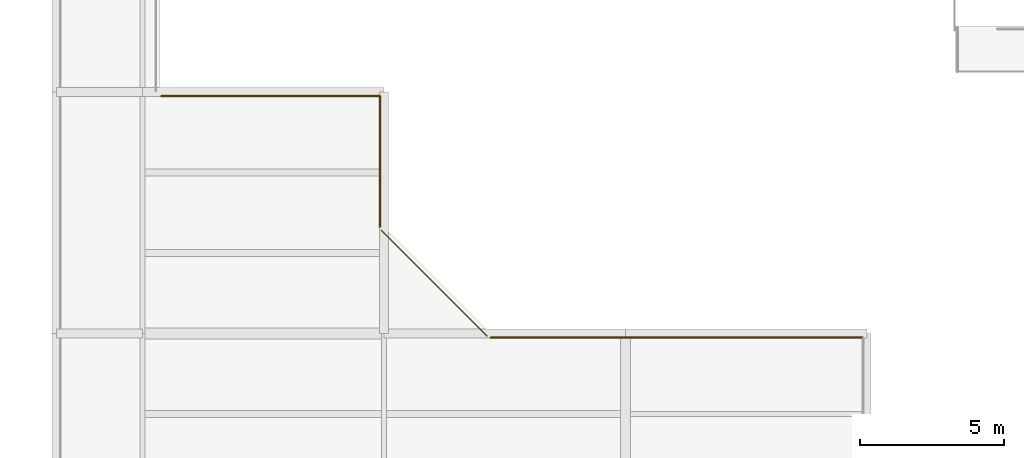
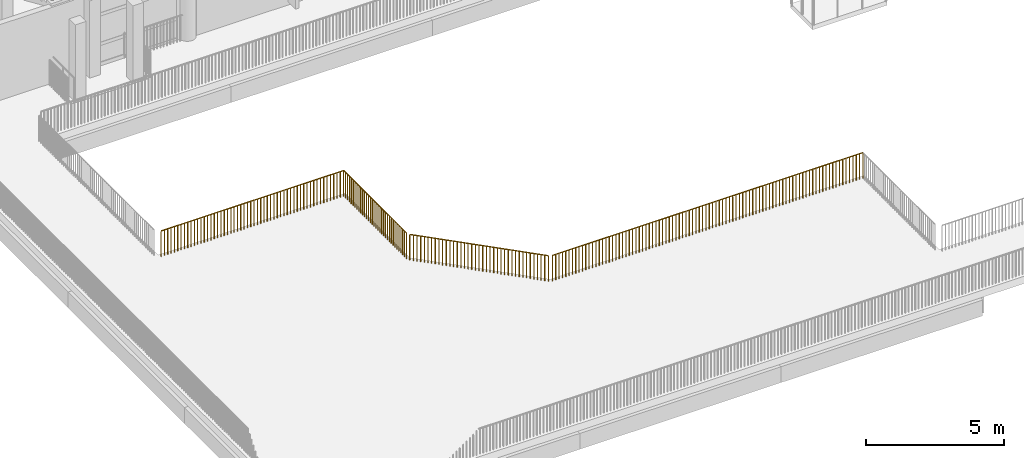
# One storey, part 38 of 51: 4 railings.
"""IFC4 building model written with IfcOpenShell, lengths in metres."""

from ifc_helpers import new_model, si_unit, direction, frame, origin, origin_2d, place, context, subcontext, project, spatial, circle, extrude, material, type_object, element, save


model = new_model("IFC4")

# Units and contexts
model_context = context("Model", 3, precision=1e-05, world=origin(), true_north=direction((0.0, 1.0)))
body_context = subcontext(model_context, "Body", "Model", "MODEL_VIEW")
ifc_project = project(units=[si_unit("LENGTHUNIT", "METRE"), si_unit("AREAUNIT", "SQUARE_METRE"), si_unit("VOLUMEUNIT", "CUBIC_METRE"), si_unit("PLANEANGLEUNIT", "RADIAN"), si_unit("MASSUNIT", "GRAM", prefix="KILO")], contexts=[model_context])

# Site, building, storey
site_placement = place(None, origin())
site = spatial("IfcSite", under=ifc_project, at=site_placement, CompositionType="ELEMENT")
building_placement = place(site_placement, origin())
building = spatial("IfcBuilding", under=site, at=building_placement, Name="Vanh Quang Courtyard School", CompositionType="ELEMENT")
storey_placement = place(building_placement, frame((0.0, 0.0, 11.39990234375)))
storey = spatial("IfcBuildingStorey", under=building, at=storey_placement, Name="L03", CompositionType="ELEMENT", Elevation=11.39990234375)

# Railings
ifc_material = material(Name="Galvanised painted steel EN 10025-2 S355J2", Category="steel")
railing_type = type_object("IfcRailingType", Name="RAIL-GUARD-1150", PredefinedType="BALUSTRADE", material=ifc_material)
railing_1_placement = place(storey_placement, frame((78.050048828125, 20.860107421875, 0.0)))
element("IfcRailing", 1, at=railing_1_placement, inside=storey, type_object=railing_type, Name="Railing GR-01 (L03)", PredefinedType="BALUSTRADE", context=body_context, shape_type="SweptSolid", body=[
    extrude(circle(Radius=0.02392578125, at=origin_2d()), frame((0.0, 0.0, 1.1259765625), z_axis=(1.0, 0.0, 0.0), x_axis=(0.0, 1.0, 0.0)), (0.0, 0.0, 1.0), 7.60986328125),
    extrude(circle(Radius=0.02099609375, at=origin_2d()), origin(), (0.0, 0.0, 1.0), 1.101806640625),
    extrude(circle(Radius=0.02099609375, at=origin_2d()), frame((0.138427734375, 0.0, 0.0)), (0.0, 0.0, 1.0), 1.101806640625),
    extrude(circle(Radius=0.02099609375, at=origin_2d()), frame((0.276611328125, 0.0, 0.0)), (0.0, 0.0, 1.0), 1.101806640625),
    extrude(circle(Radius=0.02099609375, at=origin_2d()), frame((0.4150390625, 0.0, 0.0)), (0.0, 0.0, 1.0), 1.101806640625),
    extrude(circle(Radius=0.02099609375, at=origin_2d()), frame((0.553466796875, 0.0, 0.0)), (0.0, 0.0, 1.0), 1.101806640625),
    extrude(circle(Radius=0.02099609375, at=origin_2d()), frame((0.69189453125, 0.0, 0.0)), (0.0, 0.0, 1.0), 1.101806640625),
    extrude(circle(Radius=0.02099609375, at=origin_2d()), frame((0.830078125, 0.0, 0.0)), (0.0, 0.0, 1.0), 1.101806640625),
    extrude(circle(Radius=0.02099609375, at=origin_2d()), frame((0.968505859375, 0.0, 0.0)), (0.0, 0.0, 1.0), 1.101806640625),
    extrude(circle(Radius=0.02099609375, at=origin_2d()), frame((1.10693359375, 0.0, 0.0)), (0.0, 0.0, 1.0), 1.101806640625),
    extrude(circle(Radius=0.02099609375, at=origin_2d()), frame((1.245361328125, 0.0, 0.0)), (0.0, 0.0, 1.0), 1.101806640625),
    extrude(circle(Radius=0.02099609375, at=origin_2d()), frame((1.383544921875, 0.0, 0.0)), (0.0, 0.0, 1.0), 1.101806640625),
    extrude(circle(Radius=0.02099609375, at=origin_2d()), frame((1.52197265625, 0.0, 0.0)), (0.0, 0.0, 1.0), 1.101806640625),
    extrude(circle(Radius=0.02099609375, at=origin_2d()), frame((1.660400390625, 0.0, 0.0)), (0.0, 0.0, 1.0), 1.101806640625),
    extrude(circle(Radius=0.02099609375, at=origin_2d()), frame((1.798583984375, 0.0, 0.0)), (0.0, 0.0, 1.0), 1.101806640625),
    extrude(circle(Radius=0.02099609375, at=origin_2d()), frame((1.93701171875, 0.0, 0.0)), (0.0, 0.0, 1.0), 1.101806640625),
    extrude(circle(Radius=0.02099609375, at=origin_2d()), frame((2.075439453125, 0.0, 0.0)), (0.0, 0.0, 1.0), 1.101806640625),
    extrude(circle(Radius=0.02099609375, at=origin_2d()), frame((2.2138671875, 0.0, 0.0)), (0.0, 0.0, 1.0), 1.101806640625),
    extrude(circle(Radius=0.02099609375, at=origin_2d()), frame((2.35205078125, 0.0, 0.0)), (0.0, 0.0, 1.0), 1.101806640625),
    extrude(circle(Radius=0.02099609375, at=origin_2d()), frame((2.490478515625, 0.0, 0.0)), (0.0, 0.0, 1.0), 1.101806640625),
    extrude(circle(Radius=0.02099609375, at=origin_2d()), frame((2.62890625, 0.0, 0.0)), (0.0, 0.0, 1.0), 1.101806640625),
    extrude(circle(Radius=0.02099609375, at=origin_2d()), frame((2.767333984375, 0.0, 0.0)), (0.0, 0.0, 1.0), 1.101806640625),
    extrude(circle(Radius=0.02099609375, at=origin_2d()), frame((2.905517578125, 0.0, 0.0)), (0.0, 0.0, 1.0), 1.101806640625),
    extrude(circle(Radius=0.02099609375, at=origin_2d()), frame((3.0439453125, 0.0, 0.0)), (0.0, 0.0, 1.0), 1.101806640625),
    extrude(circle(Radius=0.02099609375, at=origin_2d()), frame((3.182373046875, 0.0, 0.0)), (0.0, 0.0, 1.0), 1.101806640625),
    extrude(circle(Radius=0.02099609375, at=origin_2d()), frame((3.320556640625, 0.0, 0.0)), (0.0, 0.0, 1.0), 1.101806640625),
    extrude(circle(Radius=0.02099609375, at=origin_2d()), frame((3.458984375, 0.0, 0.0)), (0.0, 0.0, 1.0), 1.101806640625),
    extrude(circle(Radius=0.02099609375, at=origin_2d()), frame((3.597412109375, 0.0, 0.0)), (0.0, 0.0, 1.0), 1.101806640625),
    extrude(circle(Radius=0.02099609375, at=origin_2d()), frame((3.73583984375, 0.0, 0.0)), (0.0, 0.0, 1.0), 1.101806640625),
    extrude(circle(Radius=0.02099609375, at=origin_2d()), frame((3.8740234375, 0.0, 0.0)), (0.0, 0.0, 1.0), 1.101806640625),
    extrude(circle(Radius=0.02099609375, at=origin_2d()), frame((4.012451171875, 0.0, 0.0)), (0.0, 0.0, 1.0), 1.101806640625),
    extrude(circle(Radius=0.02099609375, at=origin_2d()), frame((4.15087890625, 0.0, 0.0)), (0.0, 0.0, 1.0), 1.101806640625),
    extrude(circle(Radius=0.02099609375, at=origin_2d()), frame((4.289306640625, 0.0, 0.0)), (0.0, 0.0, 1.0), 1.101806640625),
    extrude(circle(Radius=0.02099609375, at=origin_2d()), frame((4.427490234375, 0.0, 0.0)), (0.0, 0.0, 1.0), 1.101806640625),
    extrude(circle(Radius=0.02099609375, at=origin_2d()), frame((4.56591796875, 0.0, 0.0)), (0.0, 0.0, 1.0), 1.101806640625),
    extrude(circle(Radius=0.02099609375, at=origin_2d()), frame((4.704345703125, 0.0, 0.0)), (0.0, 0.0, 1.0), 1.101806640625),
    extrude(circle(Radius=0.02099609375, at=origin_2d()), frame((4.842529296875, 0.0, 0.0)), (0.0, 0.0, 1.0), 1.101806640625),
    extrude(circle(Radius=0.02099609375, at=origin_2d()), frame((4.98095703125, 0.0, 0.0)), (0.0, 0.0, 1.0), 1.101806640625),
    extrude(circle(Radius=0.02099609375, at=origin_2d()), frame((5.119384765625, 0.0, 0.0)), (0.0, 0.0, 1.0), 1.101806640625),
    extrude(circle(Radius=0.02099609375, at=origin_2d()), frame((5.2578125, 0.0, 0.0)), (0.0, 0.0, 1.0), 1.101806640625),
    extrude(circle(Radius=0.02099609375, at=origin_2d()), frame((5.39599609375, 0.0, 0.0)), (0.0, 0.0, 1.0), 1.101806640625),
    extrude(circle(Radius=0.02099609375, at=origin_2d()), frame((5.534423828125, 0.0, 0.0)), (0.0, 0.0, 1.0), 1.101806640625),
    extrude(circle(Radius=0.02099609375, at=origin_2d()), frame((5.6728515625, 0.0, 0.0)), (0.0, 0.0, 1.0), 1.101806640625),
    extrude(circle(Radius=0.02099609375, at=origin_2d()), frame((5.811279296875, 0.0, 0.0)), (0.0, 0.0, 1.0), 1.101806640625),
    extrude(circle(Radius=0.02099609375, at=origin_2d()), frame((5.949462890625, 0.0, 0.0)), (0.0, 0.0, 1.0), 1.101806640625),
    extrude(circle(Radius=0.02099609375, at=origin_2d()), frame((6.087890625, 0.0, 0.0)), (0.0, 0.0, 1.0), 1.101806640625),
    extrude(circle(Radius=0.02099609375, at=origin_2d()), frame((6.226318359375, 0.0, 0.0)), (0.0, 0.0, 1.0), 1.101806640625),
    extrude(circle(Radius=0.02099609375, at=origin_2d()), frame((6.364501953125, 0.0, 0.0)), (0.0, 0.0, 1.0), 1.101806640625),
    extrude(circle(Radius=0.02099609375, at=origin_2d()), frame((6.5029296875, 0.0, 0.0)), (0.0, 0.0, 1.0), 1.101806640625),
    extrude(circle(Radius=0.02099609375, at=origin_2d()), frame((6.641357421875, 0.0, 0.0)), (0.0, 0.0, 1.0), 1.101806640625),
    extrude(circle(Radius=0.02099609375, at=origin_2d()), frame((6.77978515625, 0.0, 0.0)), (0.0, 0.0, 1.0), 1.101806640625),
    extrude(circle(Radius=0.02099609375, at=origin_2d()), frame((6.91796875, 0.0, 0.0)), (0.0, 0.0, 1.0), 1.101806640625),
    extrude(circle(Radius=0.02099609375, at=origin_2d()), frame((7.056396484375, 0.0, 0.0)), (0.0, 0.0, 1.0), 1.101806640625),
    extrude(circle(Radius=0.02099609375, at=origin_2d()), frame((7.19482421875, 0.0, 0.0)), (0.0, 0.0, 1.0), 1.101806640625),
    extrude(circle(Radius=0.02099609375, at=origin_2d()), frame((7.333251953125, 0.0, 0.0)), (0.0, 0.0, 1.0), 1.101806640625),
    extrude(circle(Radius=0.02099609375, at=origin_2d()), frame((7.471435546875, 0.0, 0.0)), (0.0, 0.0, 1.0), 1.101806640625),
    extrude(circle(Radius=0.02099609375, at=origin_2d()), frame((7.60986328125, 0.0, 0.0)), (0.0, 0.0, 1.0), 1.101806640625),
])
railing_2_placement = place(storey_placement, frame((85.659912109375, 20.860107421875, 0.0)))
element("IfcRailing", 2, at=railing_2_placement, inside=storey, type_object=railing_type, Name="Railing GR-01 (L03)", PredefinedType="BALUSTRADE", context=body_context, shape_type="SweptSolid", body=[
    extrude(circle(Radius=0.02392578125, at=origin_2d()), frame((0.0, 0.0, 1.1259765625), z_axis=(0.0, -1.0, 0.0), x_axis=(1.0, 0.0, 0.0)), (0.0, 0.0, 1.0), 4.54345703125),
    extrude(circle(Radius=0.02099609375, at=origin_2d()), origin(), (0.0, 0.0, 1.0), 1.101806640625),
    extrude(circle(Radius=0.02099609375, at=origin_2d()), frame((0.0, -0.1376953125, 0.0)), (0.0, 0.0, 1.0), 1.101806640625),
    extrude(circle(Radius=0.02099609375, at=origin_2d()), frame((0.0, -0.275390625, 0.0)), (0.0, 0.0, 1.0), 1.101806640625),
    extrude(circle(Radius=0.02099609375, at=origin_2d()), frame((0.0, -0.4130859375, 0.0)), (0.0, 0.0, 1.0), 1.101806640625),
    extrude(circle(Radius=0.02099609375, at=origin_2d()), frame((0.0, -0.55078125, 0.0)), (0.0, 0.0, 1.0), 1.101806640625),
    extrude(circle(Radius=0.02099609375, at=origin_2d()), frame((0.0, -0.6884765625, 0.0)), (0.0, 0.0, 1.0), 1.101806640625),
    extrude(circle(Radius=0.02099609375, at=origin_2d()), frame((0.0, -0.826171875, 0.0)), (0.0, 0.0, 1.0), 1.101806640625),
    extrude(circle(Radius=0.02099609375, at=origin_2d()), frame((0.0, -0.9638671875, 0.0)), (0.0, 0.0, 1.0), 1.101806640625),
    extrude(circle(Radius=0.02099609375, at=origin_2d()), frame((0.0, -1.1015625, 0.0)), (0.0, 0.0, 1.0), 1.101806640625),
    extrude(circle(Radius=0.02099609375, at=origin_2d()), frame((0.0, -1.239013671875, 0.0)), (0.0, 0.0, 1.0), 1.101806640625),
    extrude(circle(Radius=0.02099609375, at=origin_2d()), frame((0.0, -1.376708984375, 0.0)), (0.0, 0.0, 1.0), 1.101806640625),
    extrude(circle(Radius=0.02099609375, at=origin_2d()), frame((0.0, -1.514404296875, 0.0)), (0.0, 0.0, 1.0), 1.101806640625),
    extrude(circle(Radius=0.02099609375, at=origin_2d()), frame((0.0, -1.652099609375, 0.0)), (0.0, 0.0, 1.0), 1.101806640625),
    extrude(circle(Radius=0.02099609375, at=origin_2d()), frame((0.0, -1.789794921875, 0.0)), (0.0, 0.0, 1.0), 1.101806640625),
    extrude(circle(Radius=0.02099609375, at=origin_2d()), frame((0.0, -1.927490234375, 0.0)), (0.0, 0.0, 1.0), 1.101806640625),
    extrude(circle(Radius=0.02099609375, at=origin_2d()), frame((0.0, -2.065185546875, 0.0)), (0.0, 0.0, 1.0), 1.101806640625),
    extrude(circle(Radius=0.02099609375, at=origin_2d()), frame((0.0, -2.202880859375, 0.0)), (0.0, 0.0, 1.0), 1.101806640625),
    extrude(circle(Radius=0.02099609375, at=origin_2d()), frame((0.0, -2.340576171875, 0.0)), (0.0, 0.0, 1.0), 1.101806640625),
    extrude(circle(Radius=0.02099609375, at=origin_2d()), frame((0.0, -2.478271484375, 0.0)), (0.0, 0.0, 1.0), 1.101806640625),
    extrude(circle(Radius=0.02099609375, at=origin_2d()), frame((0.0, -2.615966796875, 0.0)), (0.0, 0.0, 1.0), 1.101806640625),
    extrude(circle(Radius=0.02099609375, at=origin_2d()), frame((0.0, -2.753662109375, 0.0)), (0.0, 0.0, 1.0), 1.101806640625),
    extrude(circle(Radius=0.02099609375, at=origin_2d()), frame((0.0, -2.891357421875, 0.0)), (0.0, 0.0, 1.0), 1.101806640625),
    extrude(circle(Radius=0.02099609375, at=origin_2d()), frame((0.0, -3.029052734375, 0.0)), (0.0, 0.0, 1.0), 1.101806640625),
    extrude(circle(Radius=0.02099609375, at=origin_2d()), frame((0.0, -3.166748046875, 0.0)), (0.0, 0.0, 1.0), 1.101806640625),
    extrude(circle(Radius=0.02099609375, at=origin_2d()), frame((0.0, -3.304443359375, 0.0)), (0.0, 0.0, 1.0), 1.101806640625),
    extrude(circle(Radius=0.02099609375, at=origin_2d()), frame((0.0, -3.44189453125, 0.0)), (0.0, 0.0, 1.0), 1.101806640625),
    extrude(circle(Radius=0.02099609375, at=origin_2d()), frame((0.0, -3.57958984375, 0.0)), (0.0, 0.0, 1.0), 1.101806640625),
    extrude(circle(Radius=0.02099609375, at=origin_2d()), frame((0.0, -3.71728515625, 0.0)), (0.0, 0.0, 1.0), 1.101806640625),
    extrude(circle(Radius=0.02099609375, at=origin_2d()), frame((0.0, -3.85498046875, 0.0)), (0.0, 0.0, 1.0), 1.101806640625),
    extrude(circle(Radius=0.02099609375, at=origin_2d()), frame((0.0, -3.99267578125, 0.0)), (0.0, 0.0, 1.0), 1.101806640625),
    extrude(circle(Radius=0.02099609375, at=origin_2d()), frame((0.0, -4.13037109375, 0.0)), (0.0, 0.0, 1.0), 1.101806640625),
    extrude(circle(Radius=0.02099609375, at=origin_2d()), frame((0.0, -4.26806640625, 0.0)), (0.0, 0.0, 1.0), 1.101806640625),
    extrude(circle(Radius=0.02099609375, at=origin_2d()), frame((0.0, -4.40576171875, 0.0)), (0.0, 0.0, 1.0), 1.101806640625),
    extrude(circle(Radius=0.02099609375, at=origin_2d()), frame((0.0, -4.54345703125, 0.0)), (0.0, 0.0, 1.0), 1.101806640625),
])
railing_3_placement = place(storey_placement, frame((85.715576171875, 16.182373046875, 0.0)))
element("IfcRailing", 3, at=railing_3_placement, inside=storey, type_object=railing_type, Name="Railing GR-01 (L03)", PredefinedType="BALUSTRADE", context=body_context, shape_type="SweptSolid", body=[
    extrude(circle(Radius=0.02392578125, at=origin_2d()), frame((0.0, 0.0, 1.1259765625), z_axis=(0.707106781187, -0.707106781187, 0.0), x_axis=(0.707106781187, 0.707106781187, 0.0)), (0.0, 0.0, 1.0), 5.185546875),
    extrude(circle(Radius=0.02099609375, at=origin_2d()), origin(), (0.0, 0.0, 1.0), 1.101806640625),
    extrude(circle(Radius=0.02099609375, at=origin_2d()), frame((0.096435546875, -0.096435546875, 0.0)), (0.0, 0.0, 1.0), 1.101806640625),
    extrude(circle(Radius=0.02099609375, at=origin_2d()), frame((0.19287109375, -0.19287109375, 0.0)), (0.0, 0.0, 1.0), 1.101806640625),
    extrude(circle(Radius=0.02099609375, at=origin_2d()), frame((0.28955078125, -0.28955078125, 0.0)), (0.0, 0.0, 1.0), 1.101806640625),
    extrude(circle(Radius=0.02099609375, at=origin_2d()), frame((0.385986328125, -0.385986328125, 0.0)), (0.0, 0.0, 1.0), 1.101806640625),
    extrude(circle(Radius=0.02099609375, at=origin_2d()), frame((0.482421875, -0.482421875, 0.0)), (0.0, 0.0, 1.0), 1.101806640625),
    extrude(circle(Radius=0.02099609375, at=origin_2d()), frame((0.578857421875, -0.578857421875, 0.0)), (0.0, 0.0, 1.0), 1.101806640625),
    extrude(circle(Radius=0.02099609375, at=origin_2d()), frame((0.675537109375, -0.675537109375, 0.0)), (0.0, 0.0, 1.0), 1.101806640625),
    extrude(circle(Radius=0.02099609375, at=origin_2d()), frame((0.77197265625, -0.77197265625, 0.0)), (0.0, 0.0, 1.0), 1.101806640625),
    extrude(circle(Radius=0.02099609375, at=origin_2d()), frame((0.868408203125, -0.868408203125, 0.0)), (0.0, 0.0, 1.0), 1.101806640625),
    extrude(circle(Radius=0.02099609375, at=origin_2d()), frame((0.96484375, -0.96484375, 0.0)), (0.0, 0.0, 1.0), 1.101806640625),
    extrude(circle(Radius=0.02099609375, at=origin_2d()), frame((1.0615234375, -1.0615234375, 0.0)), (0.0, 0.0, 1.0), 1.101806640625),
    extrude(circle(Radius=0.02099609375, at=origin_2d()), frame((1.157958984375, -1.157958984375, 0.0)), (0.0, 0.0, 1.0), 1.101806640625),
    extrude(circle(Radius=0.02099609375, at=origin_2d()), frame((1.25439453125, -1.25439453125, 0.0)), (0.0, 0.0, 1.0), 1.101806640625),
    extrude(circle(Radius=0.02099609375, at=origin_2d()), frame((1.350830078125, -1.350830078125, 0.0)), (0.0, 0.0, 1.0), 1.101806640625),
    extrude(circle(Radius=0.02099609375, at=origin_2d()), frame((1.447509765625, -1.447509765625, 0.0)), (0.0, 0.0, 1.0), 1.101806640625),
    extrude(circle(Radius=0.02099609375, at=origin_2d()), frame((1.5439453125, -1.5439453125, 0.0)), (0.0, 0.0, 1.0), 1.101806640625),
    extrude(circle(Radius=0.02099609375, at=origin_2d()), frame((1.640380859375, -1.640380859375, 0.0)), (0.0, 0.0, 1.0), 1.101806640625),
    extrude(circle(Radius=0.02099609375, at=origin_2d()), frame((1.73681640625, -1.73681640625, 0.0)), (0.0, 0.0, 1.0), 1.101806640625),
    extrude(circle(Radius=0.02099609375, at=origin_2d()), frame((1.83349609375, -1.83349609375, 0.0)), (0.0, 0.0, 1.0), 1.101806640625),
    extrude(circle(Radius=0.02099609375, at=origin_2d()), frame((1.929931640625, -1.929931640625, 0.0)), (0.0, 0.0, 1.0), 1.101806640625),
    extrude(circle(Radius=0.02099609375, at=origin_2d()), frame((2.0263671875, -2.0263671875, 0.0)), (0.0, 0.0, 1.0), 1.101806640625),
    extrude(circle(Radius=0.02099609375, at=origin_2d()), frame((2.122802734375, -2.122802734375, 0.0)), (0.0, 0.0, 1.0), 1.101806640625),
    extrude(circle(Radius=0.02099609375, at=origin_2d()), frame((2.21923828125, -2.21923828125, 0.0)), (0.0, 0.0, 1.0), 1.101806640625),
    extrude(circle(Radius=0.02099609375, at=origin_2d()), frame((2.31591796875, -2.31591796875, 0.0)), (0.0, 0.0, 1.0), 1.101806640625),
    extrude(circle(Radius=0.02099609375, at=origin_2d()), frame((2.412353515625, -2.412353515625, 0.0)), (0.0, 0.0, 1.0), 1.101806640625),
    extrude(circle(Radius=0.02099609375, at=origin_2d()), frame((2.5087890625, -2.5087890625, 0.0)), (0.0, 0.0, 1.0), 1.101806640625),
    extrude(circle(Radius=0.02099609375, at=origin_2d()), frame((2.605224609375, -2.605224609375, 0.0)), (0.0, 0.0, 1.0), 1.101806640625),
    extrude(circle(Radius=0.02099609375, at=origin_2d()), frame((2.701904296875, -2.701904296875, 0.0)), (0.0, 0.0, 1.0), 1.101806640625),
    extrude(circle(Radius=0.02099609375, at=origin_2d()), frame((2.79833984375, -2.79833984375, 0.0)), (0.0, 0.0, 1.0), 1.101806640625),
    extrude(circle(Radius=0.02099609375, at=origin_2d()), frame((2.894775390625, -2.894775390625, 0.0)), (0.0, 0.0, 1.0), 1.101806640625),
    extrude(circle(Radius=0.02099609375, at=origin_2d()), frame((2.9912109375, -2.9912109375, 0.0)), (0.0, 0.0, 1.0), 1.101806640625),
    extrude(circle(Radius=0.02099609375, at=origin_2d()), frame((3.087890625, -3.087890625, 0.0)), (0.0, 0.0, 1.0), 1.101806640625),
    extrude(circle(Radius=0.02099609375, at=origin_2d()), frame((3.184326171875, -3.184326171875, 0.0)), (0.0, 0.0, 1.0), 1.101806640625),
    extrude(circle(Radius=0.02099609375, at=origin_2d()), frame((3.28076171875, -3.28076171875, 0.0)), (0.0, 0.0, 1.0), 1.101806640625),
    extrude(circle(Radius=0.02099609375, at=origin_2d()), frame((3.377197265625, -3.377197265625, 0.0)), (0.0, 0.0, 1.0), 1.101806640625),
    extrude(circle(Radius=0.02099609375, at=origin_2d()), frame((3.473876953125, -3.473876953125, 0.0)), (0.0, 0.0, 1.0), 1.101806640625),
    extrude(circle(Radius=0.02099609375, at=origin_2d()), frame((3.5703125, -3.5703125, 0.0)), (0.0, 0.0, 1.0), 1.101806640625),
    extrude(circle(Radius=0.02099609375, at=origin_2d()), frame((3.666748046875, -3.666748046875, 0.0)), (0.0, 0.0, 1.0), 1.101806640625),
])
railing_4_placement = place(storey_placement, frame((89.5166015625, 12.4599609375, 0.0)))
element("IfcRailing", 4, at=railing_4_placement, inside=storey, type_object=railing_type, Name="Railing GR-01 (L03)", PredefinedType="BALUSTRADE", context=body_context, shape_type="SweptSolid", body=[
    extrude(circle(Radius=0.02392578125, at=origin_2d()), frame((0.0, 0.0, 1.1259765625), z_axis=(1.0, 0.0, 0.0), x_axis=(0.0, 1.0, 0.0)), (0.0, 0.0, 1.0), 12.943359375),
    extrude(circle(Radius=0.02099609375, at=origin_2d()), origin(), (0.0, 0.0, 1.0), 1.101806640625),
    extrude(circle(Radius=0.02099609375, at=origin_2d()), frame((0.13916015625, 0.0, 0.0)), (0.0, 0.0, 1.0), 1.101806640625),
    extrude(circle(Radius=0.02099609375, at=origin_2d()), frame((0.2783203125, 0.0, 0.0)), (0.0, 0.0, 1.0), 1.101806640625),
    extrude(circle(Radius=0.02099609375, at=origin_2d()), frame((0.41748046875, 0.0, 0.0)), (0.0, 0.0, 1.0), 1.101806640625),
    extrude(circle(Radius=0.02099609375, at=origin_2d()), frame((0.556640625, 0.0, 0.0)), (0.0, 0.0, 1.0), 1.101806640625),
    extrude(circle(Radius=0.02099609375, at=origin_2d()), frame((0.69580078125, 0.0, 0.0)), (0.0, 0.0, 1.0), 1.101806640625),
    extrude(circle(Radius=0.02099609375, at=origin_2d()), frame((0.8349609375, 0.0, 0.0)), (0.0, 0.0, 1.0), 1.101806640625),
    extrude(circle(Radius=0.02099609375, at=origin_2d()), frame((0.97412109375, 0.0, 0.0)), (0.0, 0.0, 1.0), 1.101806640625),
    extrude(circle(Radius=0.02099609375, at=origin_2d()), frame((1.113525390625, 0.0, 0.0)), (0.0, 0.0, 1.0), 1.101806640625),
    extrude(circle(Radius=0.02099609375, at=origin_2d()), frame((1.252685546875, 0.0, 0.0)), (0.0, 0.0, 1.0), 1.101806640625),
    extrude(circle(Radius=0.02099609375, at=origin_2d()), frame((1.391845703125, 0.0, 0.0)), (0.0, 0.0, 1.0), 1.101806640625),
    extrude(circle(Radius=0.02099609375, at=origin_2d()), frame((1.531005859375, 0.0, 0.0)), (0.0, 0.0, 1.0), 1.101806640625),
    extrude(circle(Radius=0.02099609375, at=origin_2d()), frame((1.670166015625, 0.0, 0.0)), (0.0, 0.0, 1.0), 1.101806640625),
    extrude(circle(Radius=0.02099609375, at=origin_2d()), frame((1.809326171875, 0.0, 0.0)), (0.0, 0.0, 1.0), 1.101806640625),
    extrude(circle(Radius=0.02099609375, at=origin_2d()), frame((1.948486328125, 0.0, 0.0)), (0.0, 0.0, 1.0), 1.101806640625),
    extrude(circle(Radius=0.02099609375, at=origin_2d()), frame((2.087646484375, 0.0, 0.0)), (0.0, 0.0, 1.0), 1.101806640625),
    extrude(circle(Radius=0.02099609375, at=origin_2d()), frame((2.226806640625, 0.0, 0.0)), (0.0, 0.0, 1.0), 1.101806640625),
    extrude(circle(Radius=0.02099609375, at=origin_2d()), frame((2.365966796875, 0.0, 0.0)), (0.0, 0.0, 1.0), 1.101806640625),
    extrude(circle(Radius=0.02099609375, at=origin_2d()), frame((2.505126953125, 0.0, 0.0)), (0.0, 0.0, 1.0), 1.101806640625),
    extrude(circle(Radius=0.02099609375, at=origin_2d()), frame((2.644287109375, 0.0, 0.0)), (0.0, 0.0, 1.0), 1.101806640625),
    extrude(circle(Radius=0.02099609375, at=origin_2d()), frame((2.783447265625, 0.0, 0.0)), (0.0, 0.0, 1.0), 1.101806640625),
    extrude(circle(Radius=0.02099609375, at=origin_2d()), frame((2.922607421875, 0.0, 0.0)), (0.0, 0.0, 1.0), 1.101806640625),
    extrude(circle(Radius=0.02099609375, at=origin_2d()), frame((3.061767578125, 0.0, 0.0)), (0.0, 0.0, 1.0), 1.101806640625),
    extrude(circle(Radius=0.02099609375, at=origin_2d()), frame((3.200927734375, 0.0, 0.0)), (0.0, 0.0, 1.0), 1.101806640625),
    extrude(circle(Radius=0.02099609375, at=origin_2d()), frame((3.34033203125, 0.0, 0.0)), (0.0, 0.0, 1.0), 1.101806640625),
    extrude(circle(Radius=0.02099609375, at=origin_2d()), frame((3.4794921875, 0.0, 0.0)), (0.0, 0.0, 1.0), 1.101806640625),
    extrude(circle(Radius=0.02099609375, at=origin_2d()), frame((3.61865234375, 0.0, 0.0)), (0.0, 0.0, 1.0), 1.101806640625),
    extrude(circle(Radius=0.02099609375, at=origin_2d()), frame((3.7578125, 0.0, 0.0)), (0.0, 0.0, 1.0), 1.101806640625),
    extrude(circle(Radius=0.02099609375, at=origin_2d()), frame((3.89697265625, 0.0, 0.0)), (0.0, 0.0, 1.0), 1.101806640625),
    extrude(circle(Radius=0.02099609375, at=origin_2d()), frame((4.0361328125, 0.0, 0.0)), (0.0, 0.0, 1.0), 1.101806640625),
    extrude(circle(Radius=0.02099609375, at=origin_2d()), frame((4.17529296875, 0.0, 0.0)), (0.0, 0.0, 1.0), 1.101806640625),
    extrude(circle(Radius=0.02099609375, at=origin_2d()), frame((4.314453125, 0.0, 0.0)), (0.0, 0.0, 1.0), 1.101806640625),
    extrude(circle(Radius=0.02099609375, at=origin_2d()), frame((4.45361328125, 0.0, 0.0)), (0.0, 0.0, 1.0), 1.101806640625),
    extrude(circle(Radius=0.02099609375, at=origin_2d()), frame((4.5927734375, 0.0, 0.0)), (0.0, 0.0, 1.0), 1.101806640625),
    extrude(circle(Radius=0.02099609375, at=origin_2d()), frame((4.73193359375, 0.0, 0.0)), (0.0, 0.0, 1.0), 1.101806640625),
    extrude(circle(Radius=0.02099609375, at=origin_2d()), frame((4.87109375, 0.0, 0.0)), (0.0, 0.0, 1.0), 1.101806640625),
    extrude(circle(Radius=0.02099609375, at=origin_2d()), frame((5.01025390625, 0.0, 0.0)), (0.0, 0.0, 1.0), 1.101806640625),
    extrude(circle(Radius=0.02099609375, at=origin_2d()), frame((5.1494140625, 0.0, 0.0)), (0.0, 0.0, 1.0), 1.101806640625),
    extrude(circle(Radius=0.02099609375, at=origin_2d()), frame((5.28857421875, 0.0, 0.0)), (0.0, 0.0, 1.0), 1.101806640625),
    extrude(circle(Radius=0.02099609375, at=origin_2d()), frame((5.427978515625, 0.0, 0.0)), (0.0, 0.0, 1.0), 1.101806640625),
    extrude(circle(Radius=0.02099609375, at=origin_2d()), frame((5.567138671875, 0.0, 0.0)), (0.0, 0.0, 1.0), 1.101806640625),
    extrude(circle(Radius=0.02099609375, at=origin_2d()), frame((5.706298828125, 0.0, 0.0)), (0.0, 0.0, 1.0), 1.101806640625),
    extrude(circle(Radius=0.02099609375, at=origin_2d()), frame((5.845458984375, 0.0, 0.0)), (0.0, 0.0, 1.0), 1.101806640625),
    extrude(circle(Radius=0.02099609375, at=origin_2d()), frame((5.984619140625, 0.0, 0.0)), (0.0, 0.0, 1.0), 1.101806640625),
    extrude(circle(Radius=0.02099609375, at=origin_2d()), frame((6.123779296875, 0.0, 0.0)), (0.0, 0.0, 1.0), 1.101806640625),
    extrude(circle(Radius=0.02099609375, at=origin_2d()), frame((6.262939453125, 0.0, 0.0)), (0.0, 0.0, 1.0), 1.101806640625),
    extrude(circle(Radius=0.02099609375, at=origin_2d()), frame((6.402099609375, 0.0, 0.0)), (0.0, 0.0, 1.0), 1.101806640625),
    extrude(circle(Radius=0.02099609375, at=origin_2d()), frame((6.541259765625, 0.0, 0.0)), (0.0, 0.0, 1.0), 1.101806640625),
    extrude(circle(Radius=0.02099609375, at=origin_2d()), frame((6.680419921875, 0.0, 0.0)), (0.0, 0.0, 1.0), 1.101806640625),
    extrude(circle(Radius=0.02099609375, at=origin_2d()), frame((6.819580078125, 0.0, 0.0)), (0.0, 0.0, 1.0), 1.101806640625),
    extrude(circle(Radius=0.02099609375, at=origin_2d()), frame((6.958740234375, 0.0, 0.0)), (0.0, 0.0, 1.0), 1.101806640625),
    extrude(circle(Radius=0.02099609375, at=origin_2d()), frame((7.097900390625, 0.0, 0.0)), (0.0, 0.0, 1.0), 1.101806640625),
    extrude(circle(Radius=0.02099609375, at=origin_2d()), frame((7.237060546875, 0.0, 0.0)), (0.0, 0.0, 1.0), 1.101806640625),
    extrude(circle(Radius=0.02099609375, at=origin_2d()), frame((7.376220703125, 0.0, 0.0)), (0.0, 0.0, 1.0), 1.101806640625),
    extrude(circle(Radius=0.02099609375, at=origin_2d()), frame((7.515380859375, 0.0, 0.0)), (0.0, 0.0, 1.0), 1.101806640625),
    extrude(circle(Radius=0.02099609375, at=origin_2d()), frame((7.65478515625, 0.0, 0.0)), (0.0, 0.0, 1.0), 1.101806640625),
    extrude(circle(Radius=0.02099609375, at=origin_2d()), frame((7.7939453125, 0.0, 0.0)), (0.0, 0.0, 1.0), 1.101806640625),
    extrude(circle(Radius=0.02099609375, at=origin_2d()), frame((7.93310546875, 0.0, 0.0)), (0.0, 0.0, 1.0), 1.101806640625),
    extrude(circle(Radius=0.02099609375, at=origin_2d()), frame((8.072265625, 0.0, 0.0)), (0.0, 0.0, 1.0), 1.101806640625),
    extrude(circle(Radius=0.02099609375, at=origin_2d()), frame((8.21142578125, 0.0, 0.0)), (0.0, 0.0, 1.0), 1.101806640625),
    extrude(circle(Radius=0.02099609375, at=origin_2d()), frame((8.3505859375, 0.0, 0.0)), (0.0, 0.0, 1.0), 1.101806640625),
    extrude(circle(Radius=0.02099609375, at=origin_2d()), frame((8.48974609375, 0.0, 0.0)), (0.0, 0.0, 1.0), 1.101806640625),
    extrude(circle(Radius=0.02099609375, at=origin_2d()), frame((8.62890625, 0.0, 0.0)), (0.0, 0.0, 1.0), 1.101806640625),
    extrude(circle(Radius=0.02099609375, at=origin_2d()), frame((8.76806640625, 0.0, 0.0)), (0.0, 0.0, 1.0), 1.101806640625),
    extrude(circle(Radius=0.02099609375, at=origin_2d()), frame((8.9072265625, 0.0, 0.0)), (0.0, 0.0, 1.0), 1.101806640625),
    extrude(circle(Radius=0.02099609375, at=origin_2d()), frame((9.04638671875, 0.0, 0.0)), (0.0, 0.0, 1.0), 1.101806640625),
    extrude(circle(Radius=0.02099609375, at=origin_2d()), frame((9.185546875, 0.0, 0.0)), (0.0, 0.0, 1.0), 1.101806640625),
    extrude(circle(Radius=0.02099609375, at=origin_2d()), frame((9.32470703125, 0.0, 0.0)), (0.0, 0.0, 1.0), 1.101806640625),
    extrude(circle(Radius=0.02099609375, at=origin_2d()), frame((9.4638671875, 0.0, 0.0)), (0.0, 0.0, 1.0), 1.101806640625),
    extrude(circle(Radius=0.02099609375, at=origin_2d()), frame((9.60302734375, 0.0, 0.0)), (0.0, 0.0, 1.0), 1.101806640625),
    extrude(circle(Radius=0.02099609375, at=origin_2d()), frame((9.742431640625, 0.0, 0.0)), (0.0, 0.0, 1.0), 1.101806640625),
    extrude(circle(Radius=0.02099609375, at=origin_2d()), frame((9.881591796875, 0.0, 0.0)), (0.0, 0.0, 1.0), 1.101806640625),
    extrude(circle(Radius=0.02099609375, at=origin_2d()), frame((10.020751953125, 0.0, 0.0)), (0.0, 0.0, 1.0), 1.101806640625),
    extrude(circle(Radius=0.02099609375, at=origin_2d()), frame((10.159912109375, 0.0, 0.0)), (0.0, 0.0, 1.0), 1.101806640625),
    extrude(circle(Radius=0.02099609375, at=origin_2d()), frame((10.299072265625, 0.0, 0.0)), (0.0, 0.0, 1.0), 1.101806640625),
    extrude(circle(Radius=0.02099609375, at=origin_2d()), frame((10.438232421875, 0.0, 0.0)), (0.0, 0.0, 1.0), 1.101806640625),
    extrude(circle(Radius=0.02099609375, at=origin_2d()), frame((10.577392578125, 0.0, 0.0)), (0.0, 0.0, 1.0), 1.101806640625),
    extrude(circle(Radius=0.02099609375, at=origin_2d()), frame((10.716552734375, 0.0, 0.0)), (0.0, 0.0, 1.0), 1.101806640625),
    extrude(circle(Radius=0.02099609375, at=origin_2d()), frame((10.855712890625, 0.0, 0.0)), (0.0, 0.0, 1.0), 1.101806640625),
    extrude(circle(Radius=0.02099609375, at=origin_2d()), frame((10.994873046875, 0.0, 0.0)), (0.0, 0.0, 1.0), 1.101806640625),
    extrude(circle(Radius=0.02099609375, at=origin_2d()), frame((11.134033203125, 0.0, 0.0)), (0.0, 0.0, 1.0), 1.101806640625),
    extrude(circle(Radius=0.02099609375, at=origin_2d()), frame((11.273193359375, 0.0, 0.0)), (0.0, 0.0, 1.0), 1.101806640625),
    extrude(circle(Radius=0.02099609375, at=origin_2d()), frame((11.412353515625, 0.0, 0.0)), (0.0, 0.0, 1.0), 1.101806640625),
    extrude(circle(Radius=0.02099609375, at=origin_2d()), frame((11.551513671875, 0.0, 0.0)), (0.0, 0.0, 1.0), 1.101806640625),
    extrude(circle(Radius=0.02099609375, at=origin_2d()), frame((11.690673828125, 0.0, 0.0)), (0.0, 0.0, 1.0), 1.101806640625),
    extrude(circle(Radius=0.02099609375, at=origin_2d()), frame((11.829833984375, 0.0, 0.0)), (0.0, 0.0, 1.0), 1.101806640625),
    extrude(circle(Radius=0.02099609375, at=origin_2d()), frame((11.96923828125, 0.0, 0.0)), (0.0, 0.0, 1.0), 1.101806640625),
    extrude(circle(Radius=0.02099609375, at=origin_2d()), frame((12.1083984375, 0.0, 0.0)), (0.0, 0.0, 1.0), 1.101806640625),
    extrude(circle(Radius=0.02099609375, at=origin_2d()), frame((12.24755859375, 0.0, 0.0)), (0.0, 0.0, 1.0), 1.101806640625),
    extrude(circle(Radius=0.02099609375, at=origin_2d()), frame((12.38671875, 0.0, 0.0)), (0.0, 0.0, 1.0), 1.101806640625),
    extrude(circle(Radius=0.02099609375, at=origin_2d()), frame((12.52587890625, 0.0, 0.0)), (0.0, 0.0, 1.0), 1.101806640625),
    extrude(circle(Radius=0.02099609375, at=origin_2d()), frame((12.6650390625, 0.0, 0.0)), (0.0, 0.0, 1.0), 1.101806640625),
    extrude(circle(Radius=0.02099609375, at=origin_2d()), frame((12.80419921875, 0.0, 0.0)), (0.0, 0.0, 1.0), 1.101806640625),
    extrude(circle(Radius=0.02099609375, at=origin_2d()), frame((12.943359375, 0.0, 0.0)), (0.0, 0.0, 1.0), 1.101806640625),
])

save(model, "model.ifc")
